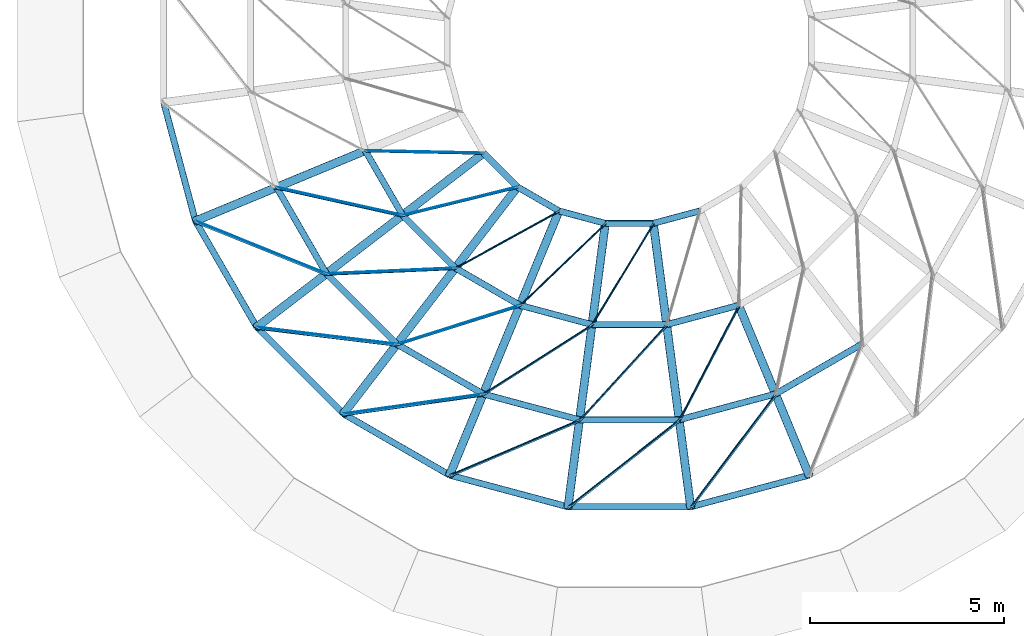
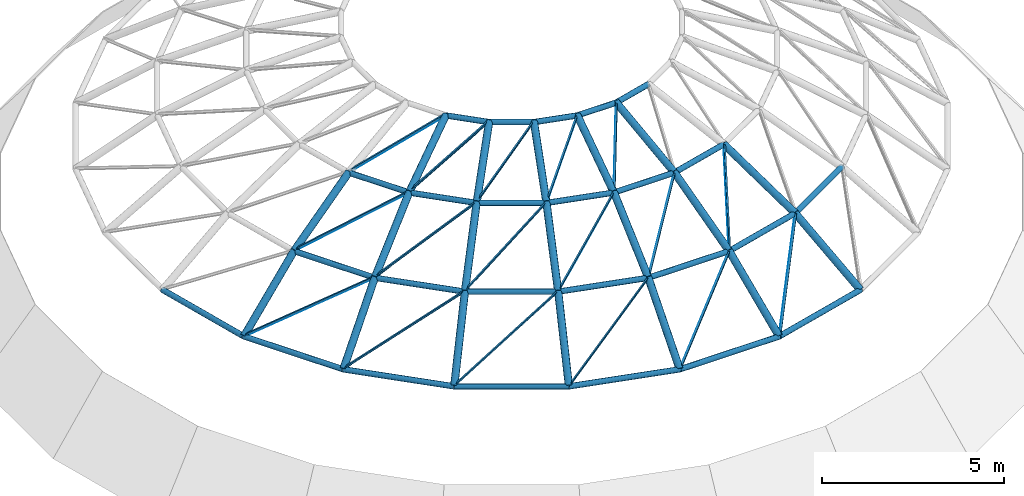
# One storey, part 3 of 33: 59 members, 19 beams.
"""IFC4 building model written with IfcOpenShell, lengths in metres."""

from ifc_helpers import new_model, si_unit, direction, frame, origin, origin_2d, place, context, subcontext, project, spatial, rectangle, circle, hollow_circle, extrude, material, material_profile, profile_set, type_object, element, save


model = new_model("IFC4")

# Units and contexts
model_context = context("Model", 3, precision=1e-05, world=origin(), true_north=direction((0.0, 1.0)))
body_context = subcontext(model_context, "Body", "Model", "MODEL_VIEW")
ifc_project = project(units=[si_unit("LENGTHUNIT", "METRE"), si_unit("AREAUNIT", "SQUARE_METRE"), si_unit("VOLUMEUNIT", "CUBIC_METRE"), si_unit("PLANEANGLEUNIT", "RADIAN"), si_unit("MASSUNIT", "GRAM", prefix="KILO")], contexts=[model_context])

# Site, building, storey
site_placement = place(None, origin())
site = spatial("IfcSite", under=ifc_project, at=site_placement, CompositionType="ELEMENT")
building_placement = place(site_placement, origin())
building = spatial("IfcBuilding", under=site, at=building_placement, Name="Hortulan Conservatory and Botanical Research Centre", CompositionType="ELEMENT")
storey_placement = place(building_placement, frame((0.0, 0.0, 19.199951171875)))
storey = spatial("IfcBuildingStorey", under=building, at=storey_placement, Name="L04", CompositionType="ELEMENT", Elevation=19.199951171875)

# Members
ifc_material_1 = material(Name="Steel Grade 300PLUS (AS/NZS 3679.1, 280 MPa minimum yield)", Category="steel")
ifc_material_profile_1 = material_profile(ifc_material_1, circle(Radius=0.011962890625, at=origin_2d()), Name="24 dia rod")
ifc_profile_set_1 = profile_set([ifc_material_profile_1], Name="Steel Grade 300PLUS (AS/NZS 3679.1, 280 MPa minimum yield)")
member_type_1 = type_object("IfcMemberType", Name="Dome Diagonal Rod 24 dia rod", PredefinedType="BRACE", material=ifc_profile_set_1)
for number, where, z_axis, x_axis, name in (
    (1, (42.821044921875, 13.369384765625, 0.4365234375), (0.848139316729, -0.341465062104, 0.405044825645), (0.373472871986, 0.927641101877, 0.0), "Dome diagonal rod row 5 panel 14"),
    (2, (44.400390625, 10.634033203125, 0.4365234375), (0.907612681424, -0.110344688701, 0.405047244398), (0.120688177707, 0.992690467246, 0.0), "Dome diagonal rod row 5 panel 15"),
    (3, (46.634033203125, 8.400390625, 0.4365234375), (0.905233473745, 0.128389723869, 0.40505362215), (-0.140425152108, 0.990091297131, 0.0), "Dome diagonal rod row 5 panel 16"),
):
    element("IfcMember", number, at=place(storey_placement, frame(where, z_axis=z_axis, x_axis=x_axis)), inside=storey, type_object=member_type_1, Name=name, PredefinedType="BRACE", context=body_context, shape_type="SweptSolid", body=[
        extrude(circle(Radius=0.011962890625, at=origin_2d()), origin(), (0.0, 0.0, 1.0), 3.97802734375),
    ])
for number, where, z_axis, x_axis, name in (
    (4, (49.369384765625, 6.821044921875, 0.4365234375), (0.841182919809, 0.35827138585, 0.405034454712), (-0.39185259607, 0.920028012048, 0.0), "Dome diagonal rod row 5 panel 17"),
    (5, (52.420654296875, 6.00341796875, 0.4365234375), (0.719786759049, 0.563788980765, 0.405029636774), (-0.616632164217, 0.787251404605, 0.0), "Dome diagonal rod row 5 panel 18"),
):
    element("IfcMember", number, at=place(storey_placement, frame(where, z_axis=z_axis, x_axis=x_axis)), inside=storey, type_object=member_type_1, Name=name, PredefinedType="BRACE", context=body_context, shape_type="SweptSolid", body=[
        extrude(circle(Radius=0.011962890625, at=origin_2d()), origin(), (0.0, 0.0, 1.0), 3.978271484375),
    ])
member_1_placement = place(storey_placement, frame((55.579345703125, 6.00341796875, 0.4365234375), z_axis=(0.549350926375, 0.730872378589, 0.405017439016), x_axis=(-0.799371340181, 0.600837299522, 0.0)))
element("IfcMember", 6, at=member_1_placement, inside=storey, type_object=member_type_1, Name="Dome diagonal rod row 5 panel 19", PredefinedType="BRACE", context=body_context, shape_type="SweptSolid", body=[
    extrude(circle(Radius=0.011962890625, at=origin_2d()), origin(), (0.0, 0.0, 1.0), 3.978515625),
])
member_2_placement = place(storey_placement, frame((44.9111328125, 14.235107421875, 2.0478515625), z_axis=(0.912734144324, -0.201945089314, 0.355154280118), x_axis=(0.21602848282, 0.976387061882, 0.0)))
element("IfcMember", 7, at=member_2_placement, inside=storey, type_object=member_type_1, Name="Dome diagonal rod row 6 panel 14", PredefinedType="BRACE", context=body_context, shape_type="SweptSolid", body=[
    extrude(circle(Radius=0.011962890625, at=origin_2d()), origin(), (0.0, 0.0, 1.0), 3.556640625),
])
member_3_placement = place(storey_placement, frame((46.195068359375, 12.010986328125, 2.0478515625), z_axis=(0.933905695873, 0.041183552662, 0.355139502458), x_axis=(-0.044055376623, 0.999029090563, 0.0)))
element("IfcMember", 8, at=member_3_placement, inside=storey, type_object=member_type_1, Name="Dome diagonal rod row 6 panel 15", PredefinedType="BRACE", context=body_context, shape_type="SweptSolid", body=[
    extrude(circle(Radius=0.011962890625, at=origin_2d()), origin(), (0.0, 0.0, 1.0), 3.556884765625),
])
member_4_placement = place(storey_placement, frame((48.010986328125, 10.195068359375, 2.0478515625), z_axis=(0.891438110502, 0.281474260176, 0.355120171215), x_axis=(-0.301099743086, 0.953592651353, 0.0)))
element("IfcMember", 9, at=member_4_placement, inside=storey, type_object=member_type_1, Name="Dome diagonal rod row 6 panel 16", PredefinedType="BRACE", context=body_context, shape_type="SweptSolid", body=[
    extrude(circle(Radius=0.011962890625, at=origin_2d()), origin(), (0.0, 0.0, 1.0), 3.55712890625),
])
member_5_placement = place(storey_placement, frame((50.235107421875, 8.9111328125, 2.0478515625), z_axis=(0.788260512259, 0.502512644571, 0.355142797843), x_axis=(-0.537554728332, 0.8432288622, 0.0)))
element("IfcMember", 10, at=member_5_placement, inside=storey, type_object=member_type_1, Name="Dome diagonal rod row 6 panel 17", PredefinedType="BRACE", context=body_context, shape_type="SweptSolid", body=[
    extrude(circle(Radius=0.011962890625, at=origin_2d()), origin(), (0.0, 0.0, 1.0), 3.556884765625),
])
member_6_placement = place(storey_placement, frame((52.7158203125, 8.246337890625, 2.0478515625), z_axis=(0.631299747898, 0.689439455028, 0.355153299513), x_axis=(-0.737519791221, 0.675325519699, 0.0)))
element("IfcMember", 11, at=member_6_placement, inside=storey, type_object=member_type_1, Name="Dome diagonal rod row 6 panel 18", PredefinedType="BRACE", context=body_context, shape_type="SweptSolid", body=[
    extrude(circle(Radius=0.011962890625, at=origin_2d()), origin(), (0.0, 0.0, 1.0), 3.556640625),
])
member_7_placement = place(storey_placement, frame((55.2841796875, 8.246337890625, 2.0478515625), z_axis=(0.431268825249, 0.82938424566, 0.355146411243), x_axis=(-0.887221610025, 0.461343488851, 0.0)))
element("IfcMember", 12, at=member_7_placement, inside=storey, type_object=member_type_1, Name="Dome diagonal rod row 6 panel 19", PredefinedType="BRACE", context=body_context, shape_type="SweptSolid", body=[
    extrude(circle(Radius=0.011962890625, at=origin_2d()), origin(), (0.0, 0.0, 1.0), 3.556884765625),
])
for number, where, z_axis, x_axis, name in (
    (13, (47.1962890625, 15.181884765625, 3.31103515625), (0.95985794945, -0.019907367786, 0.279779222934), (0.02073545118, 0.999784997419, 0.0), "Dome diagonal rod row 7 panel 14"),
    (14, (48.157470703125, 13.516845703125, 3.31103515625), (0.932281675123, 0.229284874012, 0.279784425546), (-0.238822775095, 0.971063171012, 0.0), "Dome diagonal rod row 7 panel 15"),
    (15, (49.516845703125, 12.157470703125, 3.31103515625), (0.841196503257, 0.462719567764, 0.279783924694), (-0.481967922828, 0.876188861699, 0.0), "Dome diagonal rod row 7 panel 16"),
    (16, (51.181884765625, 11.1962890625, 3.31103515625), (0.692711127474, 0.664732116111, 0.279790113627), (-0.692385153858, 0.721528099742, 0.0), "Dome diagonal rod row 7 panel 17"),
):
    element("IfcMember", number, at=place(storey_placement, frame(where, z_axis=z_axis, x_axis=x_axis)), inside=storey, type_object=member_type_1, Name=name, PredefinedType="BRACE", context=body_context, shape_type="SweptSolid", body=[
        extrude(circle(Radius=0.011962890625, at=origin_2d()), origin(), (0.0, 0.0, 1.0), 3.17626953125),
    ])
member_8_placement = place(storey_placement, frame((53.038818359375, 10.698486328125, 3.31103515625), z_axis=(0.497102448297, 0.821356503549, 0.279754624583), x_axis=(-0.855515942955, 0.517776468516, 0.0)))
element("IfcMember", 17, at=member_8_placement, inside=storey, type_object=member_type_1, Name="Dome diagonal rod row 7 panel 18", PredefinedType="BRACE", context=body_context, shape_type="SweptSolid", body=[
    extrude(circle(Radius=0.011962890625, at=origin_2d()), origin(), (0.0, 0.0, 1.0), 3.176513671875),
])
ifc_material_2 = material(Name="Bronze-finished aluminium", Category="aluminium")
ifc_material_profile_2 = material_profile(ifc_material_2, rectangle(XDim=0.050048828125, YDim=0.050048828125, at=origin_2d()), Name="Square bar 50x50")
ifc_profile_set_2 = profile_set([ifc_material_profile_2], Name="Bronze-finished aluminium")
member_type_2 = type_object("IfcMemberType", Name="Dome Glazing Bar 50x50", PredefinedType="MEMBER", material=ifc_profile_set_2)
for number, where, z_axis, x_axis, name in (
    (18, (42.779541015625, 13.352294921875, 0.49072265625), (0.848117516908, -0.341484848384, 0.405073790608), (0.373499755129, 0.927630278138, 0.0), "Dome glazing bar row 5 panel 14"),
    (19, (44.36474609375, 10.606689453125, 0.49072265625), (0.907600541437, -0.110362367104, 0.405069629953), (0.120708822591, 0.992687957089, 0.0), "Dome glazing bar row 5 panel 15"),
    (20, (46.606689453125, 8.36474609375, 0.49072265625), (0.905230422477, 0.128340334804, 0.405076092463), (-0.140372661683, 0.990098740456, 0.0), "Dome glazing bar row 5 panel 16"),
):
    element("IfcMember", number, at=place(storey_placement, frame(where, z_axis=z_axis, x_axis=x_axis)), inside=storey, type_object=member_type_2, Name=name, PredefinedType="MEMBER", context=body_context, shape_type="SweptSolid", body=[
        extrude(rectangle(XDim=0.050048828125, YDim=0.050048828125, at=origin_2d()), origin(), (0.0, 0.0, 1.0), 3.992919921875),
    ])
member_9_placement = place(storey_placement, frame((49.352294921875, 6.779541015625, 0.49072265625), z_axis=(0.841168557363, 0.358282290024, 0.405054636759), x_axis=(-0.391868354359, 0.920021300217, 0.0)))
element("IfcMember", 21, at=member_9_placement, inside=storey, type_object=member_type_2, Name="Dome glazing bar row 5 panel 17", PredefinedType="MEMBER", context=body_context, shape_type="SweptSolid", body=[
    extrude(rectangle(XDim=0.050048828125, YDim=0.050048828125, at=origin_2d()), origin(), (0.0, 0.0, 1.0), 3.9931640625),
])
for number, where, z_axis, x_axis, name in (
    (22, (52.414794921875, 5.958984375, 0.49072265625), (0.719764512517, 0.563791077974, 0.405066250036), (-0.616645397645, 0.787241039049, 0.0), "Dome glazing bar row 5 panel 18"),
    (23, (55.585205078125, 5.958984375, 0.49072265625), (0.549364003386, 0.730834494432, 0.405068060371), (-0.799349511516, 0.600866339912, 0.0), "Dome glazing bar row 5 panel 19"),
):
    element("IfcMember", number, at=place(storey_placement, frame(where, z_axis=z_axis, x_axis=x_axis)), inside=storey, type_object=member_type_2, Name=name, PredefinedType="MEMBER", context=body_context, shape_type="SweptSolid", body=[
        extrude(rectangle(XDim=0.050048828125, YDim=0.050048828125, at=origin_2d()), origin(), (0.0, 0.0, 1.0), 3.992919921875),
    ])
member_10_placement = place(storey_placement, frame((44.87841796875, 14.2216796875, 2.10595703125), z_axis=(0.912700027592, -0.20196352053, 0.355231468214), x_axis=(0.216054978023, 0.976381199364, 0.0)))
element("IfcMember", 24, at=member_10_placement, inside=storey, type_object=member_type_2, Name="Dome glazing bar row 6 panel 14", PredefinedType="MEMBER", context=body_context, shape_type="SweptSolid", body=[
    extrude(rectangle(XDim=0.050048828125, YDim=0.050048828125, at=origin_2d()), origin(), (0.0, 0.0, 1.0), 3.569580078125),
])
for number, where, z_axis, x_axis, name in (
    (25, (46.1669921875, 11.989501953125, 2.10595703125), (0.933875116682, 0.041171206169, 0.35522133695), (-0.044043634142, 0.999029608316, 0.0), "Dome glazing bar row 6 panel 15"),
    (26, (47.989501953125, 10.1669921875, 2.10595703125), (0.891410841229, 0.281429769193, 0.355223869061), (-0.301064838833, 0.953603671773, 0.0), "Dome glazing bar row 6 panel 16"),
    (27, (50.2216796875, 8.87841796875, 2.10595703125), (0.788207885836, 0.502538095021, 0.355223579959), (-0.537599605179, 0.843200251726, 0.0), "Dome glazing bar row 6 panel 17"),
    (28, (52.711181640625, 8.211181640625, 2.10595703125), (0.631249139426, 0.689449899735, 0.35522297185), (-0.737551851159, 0.675290505525, 0.0), "Dome glazing bar row 6 panel 18"),
):
    element("IfcMember", number, at=place(storey_placement, frame(where, z_axis=z_axis, x_axis=x_axis)), inside=storey, type_object=member_type_2, Name=name, PredefinedType="MEMBER", context=body_context, shape_type="SweptSolid", body=[
        extrude(rectangle(XDim=0.050048828125, YDim=0.050048828125, at=origin_2d()), origin(), (0.0, 0.0, 1.0), 3.56982421875),
    ])
member_11_placement = place(storey_placement, frame((55.288818359375, 8.211181640625, 2.10595703125), z_axis=(0.431287858806, 0.829336596238, 0.35523456052), x_axis=(-0.887202425758, 0.461380380738, 0.0)))
element("IfcMember", 29, at=member_11_placement, inside=storey, type_object=member_type_2, Name="Dome glazing bar row 6 panel 19", PredefinedType="MEMBER", context=body_context, shape_type="SweptSolid", body=[
    extrude(rectangle(XDim=0.050048828125, YDim=0.050048828125, at=origin_2d()), origin(), (0.0, 0.0, 1.0), 3.569580078125),
])
for number, where, z_axis, x_axis, name in (
    (30, (47.17236328125, 15.171875, 3.37255859375), (0.959876252851, -0.01983785106, 0.279721359353), (0.020662679903, 0.999786504039, 0.0), "Dome glazing bar row 7 panel 14"),
    (31, (48.136962890625, 13.501220703125, 3.37255859375), (0.932309166176, 0.229247562797, 0.279723387683), (-0.238779488258, 0.971073815931, 0.0), "Dome glazing bar row 7 panel 15"),
):
    element("IfcMember", number, at=place(storey_placement, frame(where, z_axis=z_axis, x_axis=x_axis)), inside=storey, type_object=member_type_2, Name=name, PredefinedType="MEMBER", context=body_context, shape_type="SweptSolid", body=[
        extrude(rectangle(XDim=0.050048828125, YDim=0.050048828125, at=origin_2d()), origin(), (0.0, 0.0, 1.0), 3.1875),
    ])
for number, where, z_axis, x_axis, name in (
    (32, (49.501220703125, 12.136962890625, 3.37255859375), (0.84120512129, 0.462731755392, 0.279737853119), (-0.481973877733, 0.876185586039, 0.0), "Dome glazing bar row 7 panel 16"),
    (33, (51.171875, 11.17236328125, 3.37255859375), (0.692749811992, 0.664715045164, 0.279734886488), (-0.692355767093, 0.721556298409, 0.0), "Dome glazing bar row 7 panel 17"),
):
    element("IfcMember", number, at=place(storey_placement, frame(where, z_axis=z_axis, x_axis=x_axis)), inside=storey, type_object=member_type_2, Name=name, PredefinedType="MEMBER", context=body_context, shape_type="SweptSolid", body=[
        extrude(rectangle(XDim=0.050048828125, YDim=0.050048828125, at=origin_2d()), origin(), (0.0, 0.0, 1.0), 3.187255859375),
    ])
member_12_placement = place(storey_placement, frame((53.035400390625, 10.673095703125, 3.37255859375), z_axis=(0.497175127803, 0.821323200651, 0.279723242449), x_axis=(-0.85547310737, 0.51784723864, 0.0)))
element("IfcMember", 34, at=member_12_placement, inside=storey, type_object=member_type_2, Name="Dome glazing bar row 7 panel 18", PredefinedType="MEMBER", context=body_context, shape_type="SweptSolid", body=[
    extrude(rectangle(XDim=0.050048828125, YDim=0.050048828125, at=origin_2d()), origin(), (0.0, 0.0, 1.0), 3.1875),
])

# Beams
ifc_material_3 = material(Name="Steel Grade C350L0 (350 MPa, AS/NZS 1163)", Category="steel")
ifc_material_profile_3 = material_profile(ifc_material_3, hollow_circle(Radius=0.109619140625, WallThickness=0.00830078125, at=origin_2d()), Name="219.1x8.2CHS")
ifc_profile_set_3 = profile_set([ifc_material_profile_3], Name="Steel Grade C350L0 (350 MPa, AS/NZS 1163)")
beam_type = type_object("IfcBeamType", Name="Dome Rib 219.1x8.2 CHS", PredefinedType="BEAM", material=ifc_profile_set_3)
beam_1_placement = place(storey_placement, frame((42.821044921875, 13.369384765625, 0.4365234375), z_axis=(0.752515905335, 0.311695059025, 0.580143087865), x_axis=(-0.382675850727, 0.923882672892, 0.0)))
element("IfcBeam", 35, at=beam_1_placement, inside=storey, type_object=beam_type, Name="Dome rib 14 segment 5", PredefinedType="BEAM", context=body_context, shape_type="SweptSolid", body=[
    extrude(hollow_circle(Radius=0.109619140625, WallThickness=0.00830078125, at=origin_2d()), origin(), (0.0, 0.0, 1.0), 2.777587890625),
])
for number, where, z_axis, x_axis, name in (
    (36, (44.9111328125, 14.235107421875, 2.0478515625), (0.822767695454, 0.340886017411, 0.45480769832), (-0.382764396992, 0.923845991708, 0.0), "Dome rib 14 segment 6"),
    (37, (44.400390625, 10.634033203125, 0.4365234375), (0.646201366495, 0.495793185558, 0.580183515014), (-0.608719263835, 0.793385692987, 0.0), "Dome rib 15 segment 5"),
    (38, (46.195068359375, 12.010986328125, 2.0478515625), (0.706546398149, 0.542171956181, 0.454798589702), (-0.608775448045, 0.79334258291, 0.0), "Dome rib 15 segment 6"),
    (39, (48.157470703125, 13.516845703125, 3.31103515625), (0.751662788999, 0.576734833192, 0.319968723185), (-0.608737306285, 0.793371849725, 0.0), "Dome rib 15 segment 7"),
    (40, (46.634033203125, 8.400390625, 0.4365234375), (0.495793185558, 0.646201366495, 0.580183515014), (-0.793385692987, 0.608719263835, 0.0), "Dome rib 16 segment 5"),
    (41, (48.010986328125, 10.195068359375, 2.0478515625), (0.542171956181, 0.706546398149, 0.454798589702), (-0.79334258291, 0.608775448045, 0.0), "Dome rib 16 segment 6"),
    (42, (49.516845703125, 12.157470703125, 3.31103515625), (0.576734833192, 0.751662788999, 0.319968723185), (-0.793371849725, 0.608737306285, 0.0), "Dome rib 16 segment 7"),
):
    element("IfcBeam", number, at=place(storey_placement, frame(where, z_axis=z_axis, x_axis=x_axis)), inside=storey, type_object=beam_type, Name=name, PredefinedType="BEAM", context=body_context, shape_type="SweptSolid", body=[
        extrude(hollow_circle(Radius=0.109619140625, WallThickness=0.00830078125, at=origin_2d()), origin(), (0.0, 0.0, 1.0), 2.77734375),
    ])
beam_2_placement = place(storey_placement, frame((49.369384765625, 6.821044921875, 0.4365234375), z_axis=(0.311695059025, 0.752515905335, 0.580143087865), x_axis=(-0.923882672892, 0.382675850727, 0.0)))
element("IfcBeam", 43, at=beam_2_placement, inside=storey, type_object=beam_type, Name="Dome rib 17 segment 5", PredefinedType="BEAM", context=body_context, shape_type="SweptSolid", body=[
    extrude(hollow_circle(Radius=0.109619140625, WallThickness=0.00830078125, at=origin_2d()), origin(), (0.0, 0.0, 1.0), 2.777587890625),
])
beam_3_placement = place(storey_placement, frame((50.235107421875, 8.9111328125, 2.0478515625), z_axis=(0.340886017411, 0.822767695454, 0.45480769832), x_axis=(-0.923845991708, 0.382764396992, 0.0)))
element("IfcBeam", 44, at=beam_3_placement, inside=storey, type_object=beam_type, Name="Dome rib 17 segment 6", PredefinedType="BEAM", context=body_context, shape_type="SweptSolid", body=[
    extrude(hollow_circle(Radius=0.109619140625, WallThickness=0.00830078125, at=origin_2d()), origin(), (0.0, 0.0, 1.0), 2.77734375),
])
beam_4_placement = place(storey_placement, frame((51.181884765625, 11.1962890625, 3.31103515625), z_axis=(0.362537962993, 0.875312923744, 0.319989860644), x_axis=(-0.923890175593, 0.382657736682, 0.0)))
element("IfcBeam", 45, at=beam_4_placement, inside=storey, type_object=beam_type, Name="Dome rib 17 segment 7", PredefinedType="BEAM", context=body_context, shape_type="SweptSolid", body=[
    extrude(hollow_circle(Radius=0.109619140625, WallThickness=0.00830078125, at=origin_2d()), origin(), (0.0, 0.0, 1.0), 2.777099609375),
])
for number, where, z_axis, x_axis, name in (
    (46, (52.420654296875, 6.00341796875, 0.4365234375), (0.106272563533, 0.807548421154, 0.580147989509), (-0.991451724101, 0.130474054037, 0.0), "Dome rib 18 segment 5"),
    (47, (52.7158203125, 8.246337890625, 2.0478515625), (0.116302337102, 0.882948355144, 0.454836199673), (-0.991436143334, 0.130592395224, 0.0), "Dome rib 18 segment 6"),
):
    element("IfcBeam", number, at=place(storey_placement, frame(where, z_axis=z_axis, x_axis=x_axis)), inside=storey, type_object=beam_type, Name=name, PredefinedType="BEAM", context=body_context, shape_type="SweptSolid", body=[
        extrude(hollow_circle(Radius=0.109619140625, WallThickness=0.00830078125, at=origin_2d()), origin(), (0.0, 0.0, 1.0), 2.77734375),
    ])
beam_5_placement = place(storey_placement, frame((53.038818359375, 10.698486328125, 3.31103515625), z_axis=(0.123581580262, 0.939343064194, 0.319940933252), x_axis=(-0.991456505766, 0.130437713774, 0.0)))
element("IfcBeam", 48, at=beam_5_placement, inside=storey, type_object=beam_type, Name="Dome rib 18 segment 7", PredefinedType="BEAM", context=body_context, shape_type="SweptSolid", body=[
    extrude(hollow_circle(Radius=0.109619140625, WallThickness=0.00830078125, at=origin_2d()), origin(), (0.0, 0.0, 1.0), 2.777587890625),
])
for number, where, z_axis, x_axis, name in (
    (49, (55.579345703125, 6.00341796875, 0.4365234375), (-0.106272563533, 0.807548421154, 0.580147989509), (-0.991451724101, -0.130474054037, 0.0), "Dome rib 19 segment 5"),
    (50, (55.2841796875, 8.246337890625, 2.0478515625), (-0.116302337102, 0.882948355144, 0.454836199673), (-0.991436143334, -0.130592395224, 0.0), "Dome rib 19 segment 6"),
):
    element("IfcBeam", number, at=place(storey_placement, frame(where, z_axis=z_axis, x_axis=x_axis)), inside=storey, type_object=beam_type, Name=name, PredefinedType="BEAM", context=body_context, shape_type="SweptSolid", body=[
        extrude(hollow_circle(Radius=0.109619140625, WallThickness=0.00830078125, at=origin_2d()), origin(), (0.0, 0.0, 1.0), 2.77734375),
    ])
for number, where, z_axis, x_axis, name in (
    (51, (54.961181640625, 10.698486328125, 3.31103515625), (-0.123581580262, 0.939343064194, 0.319940933252), (-0.991456505766, -0.130437713774, 0.0), "Dome rib 19 segment 7"),
    (52, (58.630615234375, 6.821044921875, 0.4365234375), (-0.311695059025, 0.752515905335, 0.580143087865), (-0.923882672892, -0.382675850727, 0.0), "Dome rib 20 segment 5"),
):
    element("IfcBeam", number, at=place(storey_placement, frame(where, z_axis=z_axis, x_axis=x_axis)), inside=storey, type_object=beam_type, Name=name, PredefinedType="BEAM", context=body_context, shape_type="SweptSolid", body=[
        extrude(hollow_circle(Radius=0.109619140625, WallThickness=0.00830078125, at=origin_2d()), origin(), (0.0, 0.0, 1.0), 2.777587890625),
    ])
beam_6_placement = place(storey_placement, frame((57.764892578125, 8.9111328125, 2.0478515625), z_axis=(-0.340886017411, 0.822767695454, 0.45480769832), x_axis=(-0.923845991708, -0.382764396992, 0.0)))
element("IfcBeam", 53, at=beam_6_placement, inside=storey, type_object=beam_type, Name="Dome rib 20 segment 6", PredefinedType="BEAM", context=body_context, shape_type="SweptSolid", body=[
    extrude(hollow_circle(Radius=0.109619140625, WallThickness=0.00830078125, at=origin_2d()), origin(), (0.0, 0.0, 1.0), 2.77734375),
])

# Members
ifc_material_profile_4 = material_profile(ifc_material_3, hollow_circle(Radius=0.084228515625, WallThickness=0.00634765625, at=origin_2d()), Name="168.3x6.4CHS")
ifc_profile_set_4 = profile_set([ifc_material_profile_4], Name="Steel Grade C350L0 (350 MPa, AS/NZS 1163)")
member_type_3 = type_object("IfcMemberType", Name="Dome Ring 168.3x6.4 CHS", PredefinedType="PURLIN", material=ifc_profile_set_4)
member_13_placement = place(storey_placement, frame((42.00341796875, 16.420654296875, 0.4365234375), z_axis=(0.258831375211, -0.965922522362, 0.0), x_axis=(0.965922522362, 0.258831375211, 0.0)))
element("IfcMember", 54, at=member_13_placement, inside=storey, type_object=member_type_3, Name="Dome ring 4 chord 13", PredefinedType="PURLIN", context=body_context, shape_type="SweptSolid", body=[
    extrude(hollow_circle(Radius=0.084228515625, WallThickness=0.00634765625, at=origin_2d()), origin(), (0.0, 0.0, 1.0), 3.158935546875),
])
member_14_placement = place(storey_placement, frame((42.821044921875, 13.369384765625, 0.4365234375), z_axis=(0.500021309151, -0.866013100591, 0.0), x_axis=(0.866013100591, 0.500021309151, 0.0)))
element("IfcMember", 55, at=member_14_placement, inside=storey, type_object=member_type_3, Name="Dome ring 4 chord 14", PredefinedType="PURLIN", context=body_context, shape_type="SweptSolid", body=[
    extrude(hollow_circle(Radius=0.084228515625, WallThickness=0.00634765625, at=origin_2d()), origin(), (0.0, 0.0, 1.0), 3.158447265625),
])
member_15_placement = place(storey_placement, frame((44.400390625, 10.634033203125, 0.4365234375), z_axis=(0.707106781187, -0.707106781187, 0.0), x_axis=(0.707106781187, 0.707106781187, 0.0)))
element("IfcMember", 56, at=member_15_placement, inside=storey, type_object=member_type_3, Name="Dome ring 4 chord 15", PredefinedType="PURLIN", context=body_context, shape_type="SweptSolid", body=[
    extrude(hollow_circle(Radius=0.084228515625, WallThickness=0.00634765625, at=origin_2d()), origin(), (0.0, 0.0, 1.0), 3.158935546875),
])
member_16_placement = place(storey_placement, frame((46.634033203125, 8.400390625, 0.4365234375), z_axis=(0.866013100591, -0.500021309151, 0.0), x_axis=(0.500021309151, 0.866013100591, 0.0)))
element("IfcMember", 57, at=member_16_placement, inside=storey, type_object=member_type_3, Name="Dome ring 4 chord 16", PredefinedType="PURLIN", context=body_context, shape_type="SweptSolid", body=[
    extrude(hollow_circle(Radius=0.084228515625, WallThickness=0.00634765625, at=origin_2d()), origin(), (0.0, 0.0, 1.0), 3.158447265625),
])
member_17_placement = place(storey_placement, frame((49.369384765625, 6.821044921875, 0.4365234375), z_axis=(0.965922522362, -0.258831375211, 0.0), x_axis=(0.258831375211, 0.965922522362, 0.0)))
element("IfcMember", 58, at=member_17_placement, inside=storey, type_object=member_type_3, Name="Dome ring 4 chord 17", PredefinedType="PURLIN", context=body_context, shape_type="SweptSolid", body=[
    extrude(hollow_circle(Radius=0.084228515625, WallThickness=0.00634765625, at=origin_2d()), origin(), (0.0, 0.0, 1.0), 3.158935546875),
])
member_18_placement = place(storey_placement, frame((52.420654296875, 6.00341796875, 0.4365234375), z_axis=(1.0, 0.0, 0.0), x_axis=(0.0, 1.0, 0.0)))
element("IfcMember", 59, at=member_18_placement, inside=storey, type_object=member_type_3, Name="Dome ring 4 chord 18", PredefinedType="PURLIN", context=body_context, shape_type="SweptSolid", body=[
    extrude(hollow_circle(Radius=0.084228515625, WallThickness=0.00634765625, at=origin_2d()), origin(), (0.0, 0.0, 1.0), 3.15869140625),
])
member_19_placement = place(storey_placement, frame((55.579345703125, 6.00341796875, 0.4365234375), z_axis=(0.965922522362, 0.258831375211, 0.0), x_axis=(-0.258831375211, 0.965922522362, 0.0)))
element("IfcMember", 60, at=member_19_placement, inside=storey, type_object=member_type_3, Name="Dome ring 4 chord 19", PredefinedType="PURLIN", context=body_context, shape_type="SweptSolid", body=[
    extrude(hollow_circle(Radius=0.084228515625, WallThickness=0.00634765625, at=origin_2d()), origin(), (0.0, 0.0, 1.0), 3.158935546875),
])
for number, where, z_axis, x_axis, name in (
    (61, (44.9111328125, 14.235107421875, 2.0478515625), (0.499952873616, -0.866052610505, 0.0), (0.866052610505, 0.499952873616, 0.0), "Dome ring 5 chord 14"),
    (62, (46.195068359375, 12.010986328125, 2.0478515625), (0.707106781187, -0.707106781187, 0.0), (0.707106781187, 0.707106781187, 0.0), "Dome ring 5 chord 15"),
    (63, (48.010986328125, 10.195068359375, 2.0478515625), (0.866052610505, -0.499952873616, 0.0), (0.499952873616, 0.866052610505, 0.0), "Dome ring 5 chord 16"),
):
    element("IfcMember", number, at=place(storey_placement, frame(where, z_axis=z_axis, x_axis=x_axis)), inside=storey, type_object=member_type_3, Name=name, PredefinedType="PURLIN", context=body_context, shape_type="SweptSolid", body=[
        extrude(hollow_circle(Radius=0.084228515625, WallThickness=0.00634765625, at=origin_2d()), origin(), (0.0, 0.0, 1.0), 2.568115234375),
    ])
for number, where, z_axis, x_axis, name in (
    (64, (50.235107421875, 8.9111328125, 2.0478515625), (0.965917074027, -0.258851706779, 0.0), (0.258851706779, 0.965917074027, 0.0), "Dome ring 5 chord 17"),
    (65, (52.7158203125, 8.246337890625, 2.0478515625), (1.0, 0.0, 0.0), (0.0, 1.0, 0.0), "Dome ring 5 chord 18"),
    (66, (55.2841796875, 8.246337890625, 2.0478515625), (0.965917074027, 0.258851706779, 0.0), (-0.258851706779, 0.965917074027, 0.0), "Dome ring 5 chord 19"),
):
    element("IfcMember", number, at=place(storey_placement, frame(where, z_axis=z_axis, x_axis=x_axis)), inside=storey, type_object=member_type_3, Name=name, PredefinedType="PURLIN", context=body_context, shape_type="SweptSolid", body=[
        extrude(hollow_circle(Radius=0.084228515625, WallThickness=0.00634765625, at=origin_2d()), origin(), (0.0, 0.0, 1.0), 2.568359375),
    ])
member_20_placement = place(storey_placement, frame((57.764892578125, 8.9111328125, 2.0478515625), z_axis=(0.866052610505, 0.499952873616, 0.0), x_axis=(-0.499952873616, 0.866052610505, 0.0)))
element("IfcMember", 67, at=member_20_placement, inside=storey, type_object=member_type_3, Name="Dome ring 5 chord 20", PredefinedType="PURLIN", context=body_context, shape_type="SweptSolid", body=[
    extrude(hollow_circle(Radius=0.084228515625, WallThickness=0.00634765625, at=origin_2d()), origin(), (0.0, 0.0, 1.0), 2.568115234375),
])
member_21_placement = place(storey_placement, frame((47.1962890625, 15.181884765625, 3.31103515625), z_axis=(0.499949632511, -0.866054481515, 0.0), x_axis=(0.866054481515, 0.499949632511, 0.0)))
element("IfcMember", 68, at=member_21_placement, inside=storey, type_object=member_type_3, Name="Dome ring 6 chord 14", PredefinedType="PURLIN", context=body_context, shape_type="SweptSolid", body=[
    extrude(hollow_circle(Radius=0.084228515625, WallThickness=0.00634765625, at=origin_2d()), origin(), (0.0, 0.0, 1.0), 1.922607421875),
])
member_22_placement = place(storey_placement, frame((48.157470703125, 13.516845703125, 3.31103515625), z_axis=(0.707106781187, -0.707106781187, 0.0), x_axis=(0.707106781187, 0.707106781187, 0.0)))
element("IfcMember", 69, at=member_22_placement, inside=storey, type_object=member_type_3, Name="Dome ring 6 chord 15", PredefinedType="PURLIN", context=body_context, shape_type="SweptSolid", body=[
    extrude(hollow_circle(Radius=0.084228515625, WallThickness=0.00634765625, at=origin_2d()), origin(), (0.0, 0.0, 1.0), 1.92236328125),
])
for number, where, z_axis, x_axis, name in (
    (70, (49.516845703125, 12.157470703125, 3.31103515625), (0.866054481515, -0.499949632511, 0.0), (0.499949632511, 0.866054481515, 0.0), "Dome ring 6 chord 16"),
    (71, (51.181884765625, 11.1962890625, 3.31103515625), (0.965894755949, -0.258934973361, 0.0), (0.258934973361, 0.965894755949, 0.0), "Dome ring 6 chord 17"),
):
    element("IfcMember", number, at=place(storey_placement, frame(where, z_axis=z_axis, x_axis=x_axis)), inside=storey, type_object=member_type_3, Name=name, PredefinedType="PURLIN", context=body_context, shape_type="SweptSolid", body=[
        extrude(hollow_circle(Radius=0.084228515625, WallThickness=0.00634765625, at=origin_2d()), origin(), (0.0, 0.0, 1.0), 1.922607421875),
    ])
member_23_placement = place(storey_placement, frame((53.038818359375, 10.698486328125, 3.31103515625), z_axis=(1.0, 0.0, 0.0), x_axis=(0.0, 1.0, 0.0)))
element("IfcMember", 72, at=member_23_placement, inside=storey, type_object=member_type_3, Name="Dome ring 6 chord 18", PredefinedType="PURLIN", context=body_context, shape_type="SweptSolid", body=[
    extrude(hollow_circle(Radius=0.084228515625, WallThickness=0.00634765625, at=origin_2d()), origin(), (0.0, 0.0, 1.0), 1.92236328125),
])
member_24_placement = place(storey_placement, frame((54.961181640625, 10.698486328125, 3.31103515625), z_axis=(0.965894755949, 0.258934973361, 0.0), x_axis=(-0.258934973361, 0.965894755949, 0.0)))
element("IfcMember", 73, at=member_24_placement, inside=storey, type_object=member_type_3, Name="Dome ring 6 chord 19", PredefinedType="PURLIN", context=body_context, shape_type="SweptSolid", body=[
    extrude(hollow_circle(Radius=0.084228515625, WallThickness=0.00634765625, at=origin_2d()), origin(), (0.0, 0.0, 1.0), 1.922607421875),
])
member_25_placement = place(storey_placement, frame((50.2451171875, 15.11865234375, 4.19970703125), z_axis=(0.707106781187, -0.707106781187, 0.0), x_axis=(0.707106781187, 0.707106781187, 0.0)))
element("IfcMember", 74, at=member_25_placement, inside=storey, type_object=member_type_3, Name="Dome ring 7 chord 15", PredefinedType="PURLIN", context=body_context, shape_type="SweptSolid", body=[
    extrude(hollow_circle(Radius=0.084228515625, WallThickness=0.00634765625, at=origin_2d()), origin(), (0.0, 0.0, 1.0), 1.2353515625),
])
member_26_placement = place(storey_placement, frame((51.11865234375, 14.2451171875, 4.19970703125), z_axis=(0.865984868088, -0.500070203315, 0.0), x_axis=(0.500070203315, 0.865984868088, 0.0)))
element("IfcMember", 75, at=member_26_placement, inside=storey, type_object=member_type_3, Name="Dome ring 7 chord 16", PredefinedType="PURLIN", context=body_context, shape_type="SweptSolid", body=[
    extrude(hollow_circle(Radius=0.084228515625, WallThickness=0.00634765625, at=origin_2d()), origin(), (0.0, 0.0, 1.0), 1.235595703125),
])
member_27_placement = place(storey_placement, frame((52.188720703125, 13.627197265625, 4.19970703125), z_axis=(0.965962161517, -0.258683402092, 0.0), x_axis=(0.258683402092, 0.965962161517, 0.0)))
element("IfcMember", 76, at=member_27_placement, inside=storey, type_object=member_type_3, Name="Dome ring 7 chord 17", PredefinedType="PURLIN", context=body_context, shape_type="SweptSolid", body=[
    extrude(hollow_circle(Radius=0.084228515625, WallThickness=0.00634765625, at=origin_2d()), origin(), (0.0, 0.0, 1.0), 1.2353515625),
])
member_28_placement = place(storey_placement, frame((53.382080078125, 13.3076171875, 4.19970703125), z_axis=(1.0, 0.0, 0.0), x_axis=(0.0, 1.0, 0.0)))
element("IfcMember", 77, at=member_28_placement, inside=storey, type_object=member_type_3, Name="Dome ring 7 chord 18", PredefinedType="PURLIN", context=body_context, shape_type="SweptSolid", body=[
    extrude(hollow_circle(Radius=0.084228515625, WallThickness=0.00634765625, at=origin_2d()), origin(), (0.0, 0.0, 1.0), 1.23583984375),
])
member_29_placement = place(storey_placement, frame((54.617919921875, 13.3076171875, 4.19970703125), z_axis=(0.965962161517, 0.258683402092, 0.0), x_axis=(-0.258683402092, 0.965962161517, 0.0)))
element("IfcMember", 78, at=member_29_placement, inside=storey, type_object=member_type_3, Name="Dome ring 7 chord 19", PredefinedType="PURLIN", context=body_context, shape_type="SweptSolid", body=[
    extrude(hollow_circle(Radius=0.084228515625, WallThickness=0.00634765625, at=origin_2d()), origin(), (0.0, 0.0, 1.0), 1.2353515625),
])

save(model, "model.ifc")
